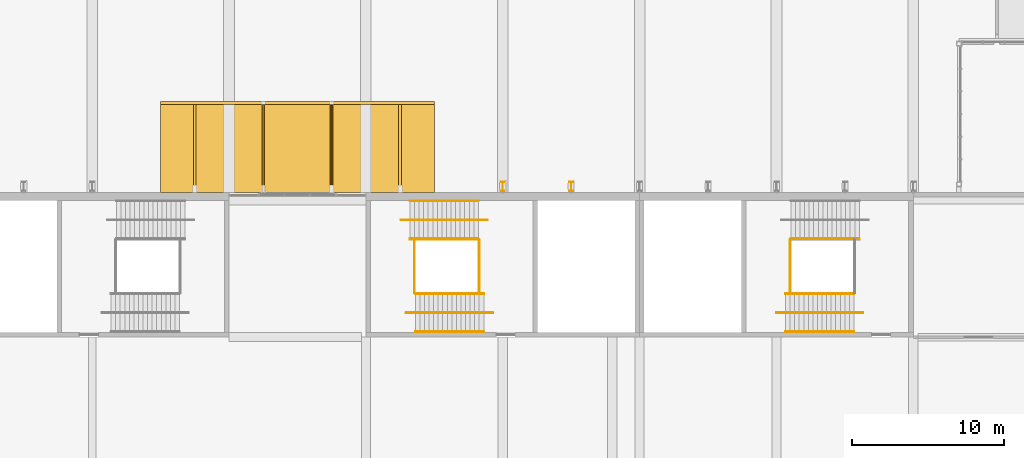
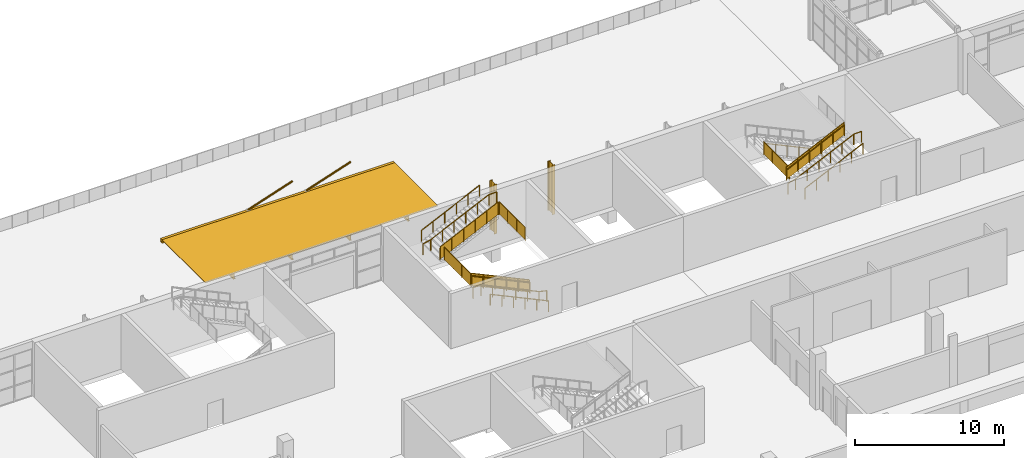
# One storey, part 161 of 168: 16 railings, 12 shading devices.
"""IFC4 building model written with IfcOpenShell, lengths in metres."""

from ifc_helpers import new_model, si_unit, direction, frame, origin, origin_2d, place, context, subcontext, project, spatial, polyline, rectangle, hollow_rectangle, circle, hollow_circle, i_section, outline, extrude, material, material_profile, profile_set, type_object, element, save


model = new_model("IFC4")

# Units and contexts
model_context = context("Model", 3, precision=1e-05, world=origin(), true_north=direction((0.0, 1.0)))
body_context = subcontext(model_context, "Body", "Model", "MODEL_VIEW")
ifc_project = project(units=[si_unit("LENGTHUNIT", "METRE"), si_unit("AREAUNIT", "SQUARE_METRE"), si_unit("VOLUMEUNIT", "CUBIC_METRE"), si_unit("PLANEANGLEUNIT", "RADIAN"), si_unit("MASSUNIT", "GRAM", prefix="KILO")], contexts=[model_context])

# Site, building, storey
site_placement = place(None, origin())
site = spatial("IfcSite", under=ifc_project, at=site_placement, CompositionType="ELEMENT")
building_placement = place(site_placement, origin())
building = spatial("IfcBuilding", under=site, at=building_placement, Name="Silverbay Arena", CompositionType="ELEMENT")
storey_placement = place(building_placement, frame((0.0, 0.0, 7.0)))
storey = spatial("IfcBuildingStorey", under=building, at=storey_placement, Name="L01", CompositionType="ELEMENT", Elevation=7.0)

# Shading devices
ifc_material_1 = material(Name="Steel S355", Category="steel")
shading_device_type_1 = type_object("IfcShadingDeviceType", Name="Entrance marquee 6000 x 18000", PredefinedType="AWNING", material=ifc_material_1)
shading_device_1_placement = place(storey_placement, frame((76.5, 147.39990234375, 4.353271484375), z_axis=(0.0, 0.0, 1.0), x_axis=(1.0, 0.0, 0.0)))
element("IfcShadingDevice", 1, at=shading_device_1_placement, inside=storey, type_object=shading_device_type_1, Name="North entrance marquee L01 bay 6", PredefinedType="AWNING", context=body_context, shape_type="SweptSolid", body=[
    extrude(rectangle(XDim=18.0, YDim=5.800048828125, at=origin_2d()), origin(), (0.0, 0.0, 1.0), 0.0400390625),
])
ifc_material_2 = material(Name="Steel S355", Category="steel")
ifc_material_profile_1 = material_profile(ifc_material_2, i_section(OverallWidth=0.18994140625, OverallDepth=0.453369140625, WebThickness=0.008544921875, FlangeThickness=0.0126953125, at=origin_2d()), Name="UB 457x191x67")
ifc_profile_set_1 = profile_set([ifc_material_profile_1], Name="Steel S355")
shading_device_type_2 = type_object("IfcShadingDeviceType", Name="Marquee cantilever beam UB 457x191x67", PredefinedType="USERDEFINED", material=ifc_profile_set_1)
for number, where, z_axis, x_axis, name in (
    (2, (69.75, 144.5, 4.126708984375), (0.0, 1.0, 0.0), (-1.0, 0.0, 0.0), "North marquee beam L01 bay 6.1"),
    (3, (74.25, 144.5, 4.126708984375), (0.0, 1.0, 0.0), (-1.0, 0.0, 0.0), "North marquee beam L01 bay 6.2"),
    (4, (78.75, 144.5, 4.126708984375), (0.0, 1.0, 0.0), (-1.0, 0.0, 0.0), "North marquee beam L01 bay 6.3"),
    (5, (83.25, 144.5, 4.126708984375), (0.0, 1.0, 0.0), (-1.0, 0.0, 0.0), "North marquee beam L01 bay 6.4"),
):
    element("IfcShadingDevice", number, at=place(storey_placement, frame(where, z_axis=z_axis, x_axis=x_axis)), inside=storey, type_object=shading_device_type_2, Name=name, ObjectType="MARQUEE FRAME", PredefinedType="USERDEFINED", context=body_context, shape_type="SweptSolid", body=[
        extrude(i_section(OverallWidth=0.18994140625, OverallDepth=0.453369140625, WebThickness=0.008544921875, FlangeThickness=0.0126953125, at=origin_2d()), origin(), (0.0, 0.0, 1.0), 5.800048828125),
    ])
ifc_material_3 = material(Name="Steel S355", Category="steel")
ifc_material_profile_2 = material_profile(ifc_material_3, hollow_rectangle(XDim=0.199951171875, YDim=0.300048828125, WallThickness=0.008056640625, at=origin_2d()), Name="RHS 300x200x8")
ifc_profile_set_2 = profile_set([ifc_material_profile_2], Name="Steel S355")
shading_device_type_3 = type_object("IfcShadingDeviceType", Name="Marquee edge beam RHS 300x200x8", PredefinedType="USERDEFINED", material=ifc_profile_set_2)
shading_device_2_placement = place(storey_placement, frame((67.5, 150.39990234375, 4.243408203125), z_axis=(1.0, 0.0, 0.0), x_axis=(0.0, 1.0, 0.0)))
element("IfcShadingDevice", 6, at=shading_device_2_placement, inside=storey, type_object=shading_device_type_3, Name="North marquee edge beam L01 bay 6.1", ObjectType="MARQUEE FRAME", PredefinedType="USERDEFINED", context=body_context, shape_type="SweptSolid", body=[
    extrude(hollow_rectangle(XDim=0.199951171875, YDim=0.300048828125, WallThickness=0.008056640625, at=origin_2d()), origin(), (0.0, 0.0, 1.0), 6.75),
])
shading_device_3_placement = place(storey_placement, frame((74.25, 150.39990234375, 4.243408203125), z_axis=(1.0, 0.0, 0.0), x_axis=(0.0, 1.0, 0.0)))
element("IfcShadingDevice", 7, at=shading_device_3_placement, inside=storey, type_object=shading_device_type_3, Name="North marquee edge beam L01 bay 6.2", ObjectType="MARQUEE FRAME", PredefinedType="USERDEFINED", context=body_context, shape_type="SweptSolid", body=[
    extrude(hollow_rectangle(XDim=0.199951171875, YDim=0.300048828125, WallThickness=0.008056640625, at=origin_2d()), origin(), (0.0, 0.0, 1.0), 4.5),
])
shading_device_4_placement = place(storey_placement, frame((78.75, 150.39990234375, 4.243408203125), z_axis=(1.0, 0.0, 0.0), x_axis=(0.0, 1.0, 0.0)))
element("IfcShadingDevice", 8, at=shading_device_4_placement, inside=storey, type_object=shading_device_type_3, Name="North marquee edge beam L01 bay 6.3", ObjectType="MARQUEE FRAME", PredefinedType="USERDEFINED", context=body_context, shape_type="SweptSolid", body=[
    extrude(hollow_rectangle(XDim=0.199951171875, YDim=0.300048828125, WallThickness=0.008056640625, at=origin_2d()), origin(), (0.0, 0.0, 1.0), 6.75),
])
ifc_material_4 = material(Name="Steel S355", Category="steel")
ifc_material_profile_3 = material_profile(ifc_material_4, hollow_circle(Radius=0.06982421875, WallThickness=0.008056640625, at=origin_2d()), Name="CHS 139.7x8")
ifc_profile_set_3 = profile_set([ifc_material_profile_3], Name="Steel S355")
shading_device_type_4 = type_object("IfcShadingDeviceType", Name="Marquee tie CHS 139.7x8", PredefinedType="USERDEFINED", material=ifc_profile_set_3)
for number, where, z_axis, x_axis, name in (
    (9, (74.25, 150.39990234375, 4.443359375), (0.0, -0.707091949838, 0.707121612224), (1.0, 0.0, 0.0), "North marquee tie 1"),
    (10, (78.75, 150.39990234375, 4.443359375), (0.0, -0.707091949838, 0.707121612224), (1.0, 0.0, 0.0), "North marquee tie 2"),
):
    element("IfcShadingDevice", number, at=place(storey_placement, frame(where, z_axis=z_axis, x_axis=x_axis)), inside=storey, type_object=shading_device_type_4, Name=name, ObjectType="MARQUEE FRAME", PredefinedType="USERDEFINED", context=body_context, shape_type="SweptSolid", body=[
        extrude(hollow_circle(Radius=0.06982421875, WallThickness=0.008056640625, at=origin_2d()), origin(), (0.0, 0.0, 1.0), 8.230712890625),
    ])

# Railings
ifc_material_5 = material(Name="Stainless steel", Category="steel")
railing_type_1 = type_object("IfcRailingType", Name="Stair guard 1100", PredefinedType="GUARDRAIL", material=ifc_material_5)
railing_1_placement = place(storey_placement, frame((88.75341796875, 137.875, 0.140625)))
element("IfcRailing", 11, at=railing_1_placement, inside=storey, type_object=railing_type_1, Name="Stair ST-N1 L01 to L02 flight 1 guard right", PredefinedType="GUARDRAIL", context=body_context, shape_type="SweptSolid", body=[
    extrude(circle(Radius=0.02392578125, at=origin_2d()), frame((0.0, 0.0, 1.076171875), z_axis=(-0.905458935959, 0.0, 0.424433876231), x_axis=(0.0, -1.0, 0.0)), (0.0, 0.0, 1.0), 4.969970703125),
    extrude(outline(polyline([(-0.008056640625, 0.046142578125), (0.907958984375, 0.4755859375), (0.907958984375, 1.478515625), (-0.008056640625, 1.04931640625), (-0.008056640625, 0.046142578125)])), frame((0.0, -0.0029296875, 0.0), z_axis=(0.0, 1.0, 0.0), x_axis=(-1.0, 0.0, 0.0)), (0.0, 0.0, 1.0), 0.006103515625),
    extrude(outline(polyline([(-0.008056640625, 0.468017578125), (0.907958984375, 0.8974609375), (0.907958984375, 1.900390625), (-0.008056640625, 1.47119140625), (-0.008056640625, 0.468017578125)])), frame((-0.89990234375, -0.0029296875, 0.0), z_axis=(0.0, 1.0, 0.0), x_axis=(-1.0, 0.0, 0.0)), (0.0, 0.0, 1.0), 0.006103515625),
    extrude(outline(polyline([(-0.008056640625, 0.889892578125), (0.907958984375, 1.3193359375), (0.907958984375, 2.322265625), (-0.008056640625, 1.89306640625), (-0.008056640625, 0.889892578125)])), frame((-1.800048828125, -0.0029296875, 0.0), z_axis=(0.0, 1.0, 0.0), x_axis=(-1.0, 0.0, 0.0)), (0.0, 0.0, 1.0), 0.006103515625),
    extrude(outline(polyline([(-0.008056640625, 1.311767578125), (0.907958984375, 1.7412109375), (0.907958984375, 2.744140625), (-0.008056640625, 2.31494140625), (-0.008056640625, 1.311767578125)])), frame((-2.699951171875, -0.0029296875, 0.0), z_axis=(0.0, 1.0, 0.0), x_axis=(-1.0, 0.0, 0.0)), (0.0, 0.0, 1.0), 0.006103515625),
    extrude(outline(polyline([(-0.008056640625, 1.733642578125), (0.907958984375, 2.1630859375), (0.907958984375, 3.166015625), (-0.008056640625, 2.73681640625), (-0.008056640625, 1.733642578125)])), frame((-3.60009765625, -0.0029296875, 0.0), z_axis=(0.0, 1.0, 0.0), x_axis=(-1.0, 0.0, 0.0)), (0.0, 0.0, 1.0), 0.006103515625),
    extrude(circle(Radius=0.02099609375, at=origin_2d()), origin(), (0.0, 0.0, 1.0), 1.052001953125),
    extrude(circle(Radius=0.02099609375, at=origin_2d()), frame((-0.89990234375, 0.0, 0.421875)), (0.0, 0.0, 1.0), 1.052001953125),
    extrude(circle(Radius=0.02099609375, at=origin_2d()), frame((-1.800048828125, 0.0, 0.84375)), (0.0, 0.0, 1.0), 1.052001953125),
    extrude(circle(Radius=0.02099609375, at=origin_2d()), frame((-2.699951171875, 0.0, 1.265625)), (0.0, 0.0, 1.0), 1.052001953125),
    extrude(circle(Radius=0.02099609375, at=origin_2d()), frame((-3.60009765625, 0.0, 1.6875)), (0.0, 0.0, 1.0), 1.052001953125),
    extrude(circle(Radius=0.02099609375, at=origin_2d()), frame((-4.5, 0.0, 2.109375)), (0.0, 0.0, 1.0), 1.052001953125),
])
railing_2_placement = place(storey_placement, frame((83.89990234375, 141.425048828125, 2.390625)))
element("IfcRailing", 12, at=railing_2_placement, inside=storey, type_object=railing_type_1, Name="Stair ST-N1 L01 to L02 flight 2 guard left", PredefinedType="GUARDRAIL", context=body_context, shape_type="SweptSolid", body=[
    extrude(circle(Radius=0.02392578125, at=origin_2d()), frame((0.0, 0.0, 1.076171875), z_axis=(0.905458935959, 0.0, 0.424433876231), x_axis=(0.0, 1.0, 0.0)), (0.0, 0.0, 1.0), 4.969970703125),
    extrude(outline(polyline([(-0.008056640625, 0.046142578125), (0.907958984375, 0.4755859375), (0.907958984375, 1.478515625), (-0.008056640625, 1.04931640625), (-0.008056640625, 0.046142578125)])), frame((0.0, 0.0029296875, 0.0), z_axis=(0.0, -1.0, 0.0), x_axis=(1.0, 0.0, 0.0)), (0.0, 0.0, 1.0), 0.006103515625),
    extrude(outline(polyline([(-0.008056640625, 0.468017578125), (0.907958984375, 0.8974609375), (0.907958984375, 1.900390625), (-0.008056640625, 1.47119140625), (-0.008056640625, 0.468017578125)])), frame((0.89990234375, 0.0029296875, 0.0), z_axis=(0.0, -1.0, 0.0), x_axis=(1.0, 0.0, 0.0)), (0.0, 0.0, 1.0), 0.006103515625),
    extrude(outline(polyline([(-0.008056640625, 0.889892578125), (0.907958984375, 1.3193359375), (0.907958984375, 2.322265625), (-0.008056640625, 1.89306640625), (-0.008056640625, 0.889892578125)])), frame((1.800048828125, 0.0029296875, 0.0), z_axis=(0.0, -1.0, 0.0), x_axis=(1.0, 0.0, 0.0)), (0.0, 0.0, 1.0), 0.006103515625),
    extrude(outline(polyline([(-0.008056640625, 1.311767578125), (0.907958984375, 1.7412109375), (0.907958984375, 2.744140625), (-0.008056640625, 2.31494140625), (-0.008056640625, 1.311767578125)])), frame((2.699951171875, 0.0029296875, 0.0), z_axis=(0.0, -1.0, 0.0), x_axis=(1.0, 0.0, 0.0)), (0.0, 0.0, 1.0), 0.006103515625),
    extrude(outline(polyline([(-0.008056640625, 1.733642578125), (0.907958984375, 2.1630859375), (0.907958984375, 3.166015625), (-0.008056640625, 2.73681640625), (-0.008056640625, 1.733642578125)])), frame((3.60009765625, 0.0029296875, 0.0), z_axis=(0.0, -1.0, 0.0), x_axis=(1.0, 0.0, 0.0)), (0.0, 0.0, 1.0), 0.006103515625),
    extrude(circle(Radius=0.02099609375, at=origin_2d()), origin(), (0.0, 0.0, 1.0), 1.052001953125),
    extrude(circle(Radius=0.02099609375, at=origin_2d()), frame((0.89990234375, 0.0, 0.421875)), (0.0, 0.0, 1.0), 1.052001953125),
    extrude(circle(Radius=0.02099609375, at=origin_2d()), frame((1.800048828125, 0.0, 0.84375)), (0.0, 0.0, 1.0), 1.052001953125),
    extrude(circle(Radius=0.02099609375, at=origin_2d()), frame((2.699951171875, 0.0, 1.265625)), (0.0, 0.0, 1.0), 1.052001953125),
    extrude(circle(Radius=0.02099609375, at=origin_2d()), frame((3.60009765625, 0.0, 1.6875)), (0.0, 0.0, 1.0), 1.052001953125),
    extrude(circle(Radius=0.02099609375, at=origin_2d()), frame((4.5, 0.0, 2.109375)), (0.0, 0.0, 1.0), 1.052001953125),
])
for number, where, name in (
    (13, (84.203369140625, 137.89990234375, 2.25), "Stair ST-N1 L01 to L02 landing 1 guard"),
    (14, (88.449951171875, 137.89990234375, 4.5), "Stair ST-N1 L01 to L02 landing 2 guard"),
):
    element("IfcRailing", number, at=place(storey_placement, frame(where)), inside=storey, type_object=railing_type_1, Name=name, PredefinedType="GUARDRAIL", context=body_context, shape_type="SweptSolid", body=[
        extrude(circle(Radius=0.02392578125, at=origin_2d()), frame((0.0, 0.0, 1.076171875), z_axis=(0.0, 1.0, 0.0), x_axis=(-1.0, 0.0, 0.0)), (0.0, 0.0, 1.0), 3.5),
        extrude(outline(polyline([(-0.008056640625, 0.050048828125), (1.174560546875, 0.050048828125), (1.174560546875, 1.052978515625), (-0.008056640625, 1.052978515625), (-0.008056640625, 0.050048828125)])), frame((-0.0029296875, 0.0, 0.0), z_axis=(1.0, 0.0, 0.0), x_axis=(0.0, 1.0, 0.0)), (0.0, 0.0, 1.0), 0.006103515625),
        extrude(outline(polyline([(-0.008056640625, 0.050048828125), (1.174560546875, 0.050048828125), (1.174560546875, 1.052978515625), (-0.008056640625, 1.052978515625), (-0.008056640625, 0.050048828125)])), frame((-0.0029296875, 1.166748046875, 0.0), z_axis=(1.0, 0.0, 0.0), x_axis=(0.0, 1.0, 0.0)), (0.0, 0.0, 1.0), 0.006103515625),
        extrude(outline(polyline([(-0.008056640625, 0.050048828125), (1.174560546875, 0.050048828125), (1.174560546875, 1.052978515625), (-0.008056640625, 1.052978515625), (-0.008056640625, 0.050048828125)])), frame((-0.0029296875, 2.333251953125, 0.0), z_axis=(1.0, 0.0, 0.0), x_axis=(0.0, 1.0, 0.0)), (0.0, 0.0, 1.0), 0.006103515625),
        extrude(circle(Radius=0.02099609375, at=origin_2d()), origin(), (0.0, 0.0, 1.0), 1.052001953125),
        extrude(circle(Radius=0.02099609375, at=origin_2d()), frame((0.0, 1.166748046875, 0.0)), (0.0, 0.0, 1.0), 1.052001953125),
        extrude(circle(Radius=0.02099609375, at=origin_2d()), frame((0.0, 2.333251953125, 0.0)), (0.0, 0.0, 1.0), 1.052001953125),
        extrude(circle(Radius=0.02099609375, at=origin_2d()), frame((0.0, 3.5, 0.0)), (0.0, 0.0, 1.0), 1.052001953125),
    ])
railing_3_placement = place(storey_placement, frame((108.60009765625, 137.875, 2.390625)))
element("IfcRailing", 15, at=railing_3_placement, inside=storey, type_object=railing_type_1, Name="Stair ST-N2 L01 to L02 flight 2 guard right", PredefinedType="GUARDRAIL", context=body_context, shape_type="SweptSolid", body=[
    extrude(circle(Radius=0.02392578125, at=origin_2d()), frame((0.0, 0.0, 1.076171875), z_axis=(0.905458935959, 0.0, 0.424433876231), x_axis=(0.0, 1.0, 0.0)), (0.0, 0.0, 1.0), 4.969970703125),
    extrude(outline(polyline([(-0.008056640625, 0.046142578125), (0.907958984375, 0.4755859375), (0.907958984375, 1.478515625), (-0.008056640625, 1.04931640625), (-0.008056640625, 0.046142578125)])), frame((0.0, 0.0029296875, 0.0), z_axis=(0.0, -1.0, 0.0), x_axis=(1.0, 0.0, 0.0)), (0.0, 0.0, 1.0), 0.006103515625),
    extrude(outline(polyline([(-0.008056640625, 0.468017578125), (0.907958984375, 0.8974609375), (0.907958984375, 1.900390625), (-0.008056640625, 1.47119140625), (-0.008056640625, 0.468017578125)])), frame((0.89990234375, 0.0029296875, 0.0), z_axis=(0.0, -1.0, 0.0), x_axis=(1.0, 0.0, 0.0)), (0.0, 0.0, 1.0), 0.006103515625),
    extrude(outline(polyline([(-0.008056640625, 0.889892578125), (0.907958984375, 1.3193359375), (0.907958984375, 2.322265625), (-0.008056640625, 1.89306640625), (-0.008056640625, 0.889892578125)])), frame((1.800048828125, 0.0029296875, 0.0), z_axis=(0.0, -1.0, 0.0), x_axis=(1.0, 0.0, 0.0)), (0.0, 0.0, 1.0), 0.006103515625),
    extrude(outline(polyline([(-0.008056640625, 1.311767578125), (0.907958984375, 1.7412109375), (0.907958984375, 2.744140625), (-0.008056640625, 2.31494140625), (-0.008056640625, 1.311767578125)])), frame((2.699951171875, 0.0029296875, 0.0), z_axis=(0.0, -1.0, 0.0), x_axis=(1.0, 0.0, 0.0)), (0.0, 0.0, 1.0), 0.006103515625),
    extrude(outline(polyline([(-0.008056640625, 1.733642578125), (0.907958984375, 2.1630859375), (0.907958984375, 3.166015625), (-0.008056640625, 2.73681640625), (-0.008056640625, 1.733642578125)])), frame((3.60009765625, 0.0029296875, 0.0), z_axis=(0.0, -1.0, 0.0), x_axis=(1.0, 0.0, 0.0)), (0.0, 0.0, 1.0), 0.006103515625),
    extrude(circle(Radius=0.02099609375, at=origin_2d()), origin(), (0.0, 0.0, 1.0), 1.052001953125),
    extrude(circle(Radius=0.02099609375, at=origin_2d()), frame((0.89990234375, 0.0, 0.421875)), (0.0, 0.0, 1.0), 1.052001953125),
    extrude(circle(Radius=0.02099609375, at=origin_2d()), frame((1.800048828125, 0.0, 0.84375)), (0.0, 0.0, 1.0), 1.052001953125),
    extrude(circle(Radius=0.02099609375, at=origin_2d()), frame((2.699951171875, 0.0, 1.265625)), (0.0, 0.0, 1.0), 1.052001953125),
    extrude(circle(Radius=0.02099609375, at=origin_2d()), frame((3.60009765625, 0.0, 1.6875)), (0.0, 0.0, 1.0), 1.052001953125),
    extrude(circle(Radius=0.02099609375, at=origin_2d()), frame((4.5, 0.0, 2.109375)), (0.0, 0.0, 1.0), 1.052001953125),
])
railing_4_placement = place(storey_placement, frame((108.9033203125, 137.89990234375, 2.25)))
element("IfcRailing", 16, at=railing_4_placement, inside=storey, type_object=railing_type_1, Name="Stair ST-N2 L01 to L02 landing 1 guard", PredefinedType="GUARDRAIL", context=body_context, shape_type="SweptSolid", body=[
    extrude(circle(Radius=0.02392578125, at=origin_2d()), frame((0.0, 0.0, 1.076171875), z_axis=(0.0, 1.0, 0.0), x_axis=(-1.0, 0.0, 0.0)), (0.0, 0.0, 1.0), 3.5),
    extrude(outline(polyline([(-0.008056640625, 0.050048828125), (1.174560546875, 0.050048828125), (1.174560546875, 1.052978515625), (-0.008056640625, 1.052978515625), (-0.008056640625, 0.050048828125)])), frame((-0.0029296875, 0.0, 0.0), z_axis=(1.0, 0.0, 0.0), x_axis=(0.0, 1.0, 0.0)), (0.0, 0.0, 1.0), 0.006103515625),
    extrude(outline(polyline([(-0.008056640625, 0.050048828125), (1.174560546875, 0.050048828125), (1.174560546875, 1.052978515625), (-0.008056640625, 1.052978515625), (-0.008056640625, 0.050048828125)])), frame((-0.0029296875, 1.166748046875, 0.0), z_axis=(1.0, 0.0, 0.0), x_axis=(0.0, 1.0, 0.0)), (0.0, 0.0, 1.0), 0.006103515625),
    extrude(outline(polyline([(-0.008056640625, 0.050048828125), (1.174560546875, 0.050048828125), (1.174560546875, 1.052978515625), (-0.008056640625, 1.052978515625), (-0.008056640625, 0.050048828125)])), frame((-0.0029296875, 2.333251953125, 0.0), z_axis=(1.0, 0.0, 0.0), x_axis=(0.0, 1.0, 0.0)), (0.0, 0.0, 1.0), 0.006103515625),
    extrude(circle(Radius=0.02099609375, at=origin_2d()), origin(), (0.0, 0.0, 1.0), 1.052001953125),
    extrude(circle(Radius=0.02099609375, at=origin_2d()), frame((0.0, 1.166748046875, 0.0)), (0.0, 0.0, 1.0), 1.052001953125),
    extrude(circle(Radius=0.02099609375, at=origin_2d()), frame((0.0, 2.333251953125, 0.0)), (0.0, 0.0, 1.0), 1.052001953125),
    extrude(circle(Radius=0.02099609375, at=origin_2d()), frame((0.0, 3.5, 0.0)), (0.0, 0.0, 1.0), 1.052001953125),
])
ifc_material_6 = material(Name="Stainless steel", Category="steel")
railing_type_2 = type_object("IfcRailingType", Name="Stair handrail 900", PredefinedType="HANDRAIL", material=ifc_material_6)
for number, where, name in (
    (17, (88.75341796875, 135.35009765625, 0.140625), "Stair ST-N1 L01 to L02 flight 1 handrail left"),
    (18, (88.75341796875, 137.8359375, 0.140625), "Stair ST-N1 L01 to L02 flight 1 handrail right"),
):
    element("IfcRailing", number, at=place(storey_placement, frame(where)), inside=storey, type_object=railing_type_2, Name=name, PredefinedType="HANDRAIL", context=body_context, shape_type="SweptSolid", body=[
        extrude(circle(Radius=0.02392578125, at=origin_2d()), frame((0.0, 0.0, 0.8759765625), z_axis=(-0.905458935959, 0.0, 0.424433876231), x_axis=(0.0, -1.0, 0.0)), (0.0, 0.0, 1.0), 4.969970703125),
        extrude(circle(Radius=0.02099609375, at=origin_2d()), origin(), (0.0, 0.0, 1.0), 0.851806640625),
        extrude(circle(Radius=0.02099609375, at=origin_2d()), frame((-0.89990234375, 0.0, 0.421875)), (0.0, 0.0, 1.0), 0.851806640625),
        extrude(circle(Radius=0.02099609375, at=origin_2d()), frame((-1.800048828125, 0.0, 0.84375)), (0.0, 0.0, 1.0), 0.851806640625),
        extrude(circle(Radius=0.02099609375, at=origin_2d()), frame((-2.699951171875, 0.0, 1.265625)), (0.0, 0.0, 1.0), 0.851806640625),
        extrude(circle(Radius=0.02099609375, at=origin_2d()), frame((-3.60009765625, 0.0, 1.6875)), (0.0, 0.0, 1.0), 0.851806640625),
        extrude(circle(Radius=0.02099609375, at=origin_2d()), frame((-4.5, 0.0, 2.109375)), (0.0, 0.0, 1.0), 0.851806640625),
    ])
railing_5_placement = place(storey_placement, frame((89.353515625, 136.60009765625, 0.0)))
element("IfcRailing", 19, at=railing_5_placement, inside=storey, type_object=railing_type_2, Name="Stair ST-N1 L01 to L02 flight 1 central handrail", PredefinedType="HANDRAIL", context=body_context, shape_type="SweptSolid", body=[
    extrude(circle(Radius=0.02392578125, at=origin_2d()), frame((0.0, 0.0, 0.8759765625), z_axis=(-0.973624560196, 0.0, 0.228156121511), x_axis=(0.0, -1.0, 0.0)), (0.0, 0.0, 1.0), 0.616455078125),
    extrude(circle(Radius=0.02392578125, at=origin_2d()), frame((-0.60009765625, 0.0, 1.0166015625), z_axis=(-0.905458935959, 0.0, 0.424433876231), x_axis=(0.0, -1.0, 0.0)), (0.0, 0.0, 1.0), 4.969970703125),
    extrude(circle(Radius=0.02392578125, at=origin_2d()), frame((-5.10009765625, 0.0, 3.1259765625), z_axis=(-1.0, 0.0, 0.0), x_axis=(0.0, -1.0, 0.0)), (0.0, 0.0, 1.0), 0.60009765625),
    extrude(circle(Radius=0.02099609375, at=origin_2d()), origin(), (0.0, 0.0, 1.0), 0.851806640625),
    extrude(circle(Radius=0.02099609375, at=origin_2d()), frame((-0.60009765625, 0.0, 0.140625)), (0.0, 0.0, 1.0), 0.851806640625),
    extrude(circle(Radius=0.02099609375, at=origin_2d()), frame((-1.5, 0.0, 0.5625)), (0.0, 0.0, 1.0), 0.851806640625),
    extrude(circle(Radius=0.02099609375, at=origin_2d()), frame((-2.400146484375, 0.0, 0.984375)), (0.0, 0.0, 1.0), 0.851806640625),
    extrude(circle(Radius=0.02099609375, at=origin_2d()), frame((-3.300048828125, 0.0, 1.40625)), (0.0, 0.0, 1.0), 0.851806640625),
    extrude(circle(Radius=0.02099609375, at=origin_2d()), frame((-4.2001953125, 0.0, 1.828125)), (0.0, 0.0, 1.0), 0.851806640625),
    extrude(circle(Radius=0.02099609375, at=origin_2d()), frame((-5.10009765625, 0.0, 2.25)), (0.0, 0.0, 1.0), 0.851806640625),
    extrude(circle(Radius=0.02099609375, at=origin_2d()), frame((-5.7001953125, 0.0, 2.25)), (0.0, 0.0, 1.0), 0.851806640625),
])
for number, where, name in (
    (20, (83.89990234375, 141.464111328125, 2.390625), "Stair ST-N1 L01 to L02 flight 2 handrail left"),
    (21, (83.89990234375, 143.949951171875, 2.390625), "Stair ST-N1 L01 to L02 flight 2 handrail right"),
):
    element("IfcRailing", number, at=place(storey_placement, frame(where)), inside=storey, type_object=railing_type_2, Name=name, PredefinedType="HANDRAIL", context=body_context, shape_type="SweptSolid", body=[
        extrude(circle(Radius=0.02392578125, at=origin_2d()), frame((0.0, 0.0, 0.8759765625), z_axis=(0.905458935959, 0.0, 0.424433876231), x_axis=(0.0, 1.0, 0.0)), (0.0, 0.0, 1.0), 4.969970703125),
        extrude(circle(Radius=0.02099609375, at=origin_2d()), origin(), (0.0, 0.0, 1.0), 0.851806640625),
        extrude(circle(Radius=0.02099609375, at=origin_2d()), frame((0.89990234375, 0.0, 0.421875)), (0.0, 0.0, 1.0), 0.851806640625),
        extrude(circle(Radius=0.02099609375, at=origin_2d()), frame((1.800048828125, 0.0, 0.84375)), (0.0, 0.0, 1.0), 0.851806640625),
        extrude(circle(Radius=0.02099609375, at=origin_2d()), frame((2.699951171875, 0.0, 1.265625)), (0.0, 0.0, 1.0), 0.851806640625),
        extrude(circle(Radius=0.02099609375, at=origin_2d()), frame((3.60009765625, 0.0, 1.6875)), (0.0, 0.0, 1.0), 0.851806640625),
        extrude(circle(Radius=0.02099609375, at=origin_2d()), frame((4.5, 0.0, 2.109375)), (0.0, 0.0, 1.0), 0.851806640625),
    ])
railing_6_placement = place(storey_placement, frame((83.300048828125, 142.699951171875, 2.25)))
element("IfcRailing", 22, at=railing_6_placement, inside=storey, type_object=railing_type_2, Name="Stair ST-N1 L01 to L02 flight 2 central handrail", PredefinedType="HANDRAIL", context=body_context, shape_type="SweptSolid", body=[
    extrude(circle(Radius=0.02392578125, at=origin_2d()), frame((0.0, 0.0, 0.8759765625), z_axis=(0.973603928963, 0.0, 0.228244144519), x_axis=(0.0, 1.0, 0.0)), (0.0, 0.0, 1.0), 0.6162109375),
    extrude(circle(Radius=0.02392578125, at=origin_2d()), frame((0.599853515625, 0.0, 1.0166015625), z_axis=(0.905458935959, 0.0, 0.424433876231), x_axis=(0.0, 1.0, 0.0)), (0.0, 0.0, 1.0), 4.969970703125),
    extrude(circle(Radius=0.02392578125, at=origin_2d()), frame((5.099853515625, 0.0, 3.1259765625), z_axis=(1.0, 0.0, 0.0), x_axis=(0.0, 1.0, 0.0)), (0.0, 0.0, 1.0), 0.60009765625),
    extrude(circle(Radius=0.02099609375, at=origin_2d()), origin(), (0.0, 0.0, 1.0), 0.851806640625),
    extrude(circle(Radius=0.02099609375, at=origin_2d()), frame((0.599853515625, 0.0, 0.140625)), (0.0, 0.0, 1.0), 0.851806640625),
    extrude(circle(Radius=0.02099609375, at=origin_2d()), frame((1.499755859375, 0.0, 0.5625)), (0.0, 0.0, 1.0), 0.851806640625),
    extrude(circle(Radius=0.02099609375, at=origin_2d()), frame((2.39990234375, 0.0, 0.984375)), (0.0, 0.0, 1.0), 0.851806640625),
    extrude(circle(Radius=0.02099609375, at=origin_2d()), frame((3.2998046875, 0.0, 1.40625)), (0.0, 0.0, 1.0), 0.851806640625),
    extrude(circle(Radius=0.02099609375, at=origin_2d()), frame((4.199951171875, 0.0, 1.828125)), (0.0, 0.0, 1.0), 0.851806640625),
    extrude(circle(Radius=0.02099609375, at=origin_2d()), frame((5.099853515625, 0.0, 2.25)), (0.0, 0.0, 1.0), 0.851806640625),
    extrude(circle(Radius=0.02099609375, at=origin_2d()), frame((5.699951171875, 0.0, 2.25)), (0.0, 0.0, 1.0), 0.851806640625),
])
railing_7_placement = place(storey_placement, frame((113.453369140625, 141.464111328125, 0.140625)))
element("IfcRailing", 23, at=railing_7_placement, inside=storey, type_object=railing_type_2, Name="Stair ST-N2 L01 to L02 flight 1 handrail left", PredefinedType="HANDRAIL", context=body_context, shape_type="SweptSolid", body=[
    extrude(circle(Radius=0.02392578125, at=origin_2d()), frame((0.0, 0.0, 0.8759765625), z_axis=(-0.905458935959, 0.0, 0.424433876231), x_axis=(0.0, -1.0, 0.0)), (0.0, 0.0, 1.0), 4.969970703125),
    extrude(circle(Radius=0.02099609375, at=origin_2d()), origin(), (0.0, 0.0, 1.0), 0.851806640625),
    extrude(circle(Radius=0.02099609375, at=origin_2d()), frame((-0.89990234375, 0.0, 0.421875)), (0.0, 0.0, 1.0), 0.851806640625),
    extrude(circle(Radius=0.02099609375, at=origin_2d()), frame((-1.800048828125, 0.0, 0.84375)), (0.0, 0.0, 1.0), 0.851806640625),
    extrude(circle(Radius=0.02099609375, at=origin_2d()), frame((-2.699951171875, 0.0, 1.265625)), (0.0, 0.0, 1.0), 0.851806640625),
    extrude(circle(Radius=0.02099609375, at=origin_2d()), frame((-3.60009765625, 0.0, 1.6875)), (0.0, 0.0, 1.0), 0.851806640625),
    extrude(circle(Radius=0.02099609375, at=origin_2d()), frame((-4.5, 0.0, 2.109375)), (0.0, 0.0, 1.0), 0.851806640625),
])
for number, where, name in (
    (24, (108.60009765625, 135.35009765625, 2.390625), "Stair ST-N2 L01 to L02 flight 2 handrail left"),
    (25, (108.60009765625, 137.8359375, 2.390625), "Stair ST-N2 L01 to L02 flight 2 handrail right"),
):
    element("IfcRailing", number, at=place(storey_placement, frame(where)), inside=storey, type_object=railing_type_2, Name=name, PredefinedType="HANDRAIL", context=body_context, shape_type="SweptSolid", body=[
        extrude(circle(Radius=0.02392578125, at=origin_2d()), frame((0.0, 0.0, 0.8759765625), z_axis=(0.905458935959, 0.0, 0.424433876231), x_axis=(0.0, 1.0, 0.0)), (0.0, 0.0, 1.0), 4.969970703125),
        extrude(circle(Radius=0.02099609375, at=origin_2d()), origin(), (0.0, 0.0, 1.0), 0.851806640625),
        extrude(circle(Radius=0.02099609375, at=origin_2d()), frame((0.89990234375, 0.0, 0.421875)), (0.0, 0.0, 1.0), 0.851806640625),
        extrude(circle(Radius=0.02099609375, at=origin_2d()), frame((1.800048828125, 0.0, 0.84375)), (0.0, 0.0, 1.0), 0.851806640625),
        extrude(circle(Radius=0.02099609375, at=origin_2d()), frame((2.699951171875, 0.0, 1.265625)), (0.0, 0.0, 1.0), 0.851806640625),
        extrude(circle(Radius=0.02099609375, at=origin_2d()), frame((3.60009765625, 0.0, 1.6875)), (0.0, 0.0, 1.0), 0.851806640625),
        extrude(circle(Radius=0.02099609375, at=origin_2d()), frame((4.5, 0.0, 2.109375)), (0.0, 0.0, 1.0), 0.851806640625),
    ])
railing_8_placement = place(storey_placement, frame((108.0, 136.60009765625, 2.25)))
element("IfcRailing", 26, at=railing_8_placement, inside=storey, type_object=railing_type_2, Name="Stair ST-N2 L01 to L02 flight 2 central handrail", PredefinedType="HANDRAIL", context=body_context, shape_type="SweptSolid", body=[
    extrude(circle(Radius=0.02392578125, at=origin_2d()), frame((0.0, 0.0, 0.8759765625), z_axis=(0.973624560196, 0.0, 0.228156121511), x_axis=(0.0, 1.0, 0.0)), (0.0, 0.0, 1.0), 0.616455078125),
    extrude(circle(Radius=0.02392578125, at=origin_2d()), frame((0.60009765625, 0.0, 1.0166015625), z_axis=(0.905458935959, 0.0, 0.424433876231), x_axis=(0.0, 1.0, 0.0)), (0.0, 0.0, 1.0), 4.969970703125),
    extrude(circle(Radius=0.02392578125, at=origin_2d()), frame((5.10009765625, 0.0, 3.1259765625), z_axis=(1.0, 0.0, 0.0), x_axis=(0.0, 1.0, 0.0)), (0.0, 0.0, 1.0), 0.599853515625),
    extrude(circle(Radius=0.02099609375, at=origin_2d()), origin(), (0.0, 0.0, 1.0), 0.851806640625),
    extrude(circle(Radius=0.02099609375, at=origin_2d()), frame((0.60009765625, 0.0, 0.140625)), (0.0, 0.0, 1.0), 0.851806640625),
    extrude(circle(Radius=0.02099609375, at=origin_2d()), frame((1.5, 0.0, 0.5625)), (0.0, 0.0, 1.0), 0.851806640625),
    extrude(circle(Radius=0.02099609375, at=origin_2d()), frame((2.400146484375, 0.0, 0.984375)), (0.0, 0.0, 1.0), 0.851806640625),
    extrude(circle(Radius=0.02099609375, at=origin_2d()), frame((3.300048828125, 0.0, 1.40625)), (0.0, 0.0, 1.0), 0.851806640625),
    extrude(circle(Radius=0.02099609375, at=origin_2d()), frame((4.2001953125, 0.0, 1.828125)), (0.0, 0.0, 1.0), 0.851806640625),
    extrude(circle(Radius=0.02099609375, at=origin_2d()), frame((5.10009765625, 0.0, 2.25)), (0.0, 0.0, 1.0), 0.851806640625),
    extrude(circle(Radius=0.02099609375, at=origin_2d()), frame((5.699951171875, 0.0, 2.25)), (0.0, 0.0, 1.0), 0.851806640625),
])

# Shading devices
ifc_material_7 = material(Name="Steel S355", Category="steel")
ifc_material_profile_4 = material_profile(ifc_material_7, i_section(OverallWidth=0.2275390625, OverallDepth=0.6025390625, WebThickness=0.010498046875, FlangeThickness=0.014892578125, at=origin_2d()), Name="UB 610x229x101")
ifc_profile_set_4 = profile_set([ifc_material_profile_4], Name="Steel S355")
shading_device_type_5 = type_object("IfcShadingDeviceType", Name="Steel fin UB 610x229x101", PredefinedType="USERDEFINED", material=ifc_profile_set_4)
for number, where, z_axis, x_axis, name in (
    (27, (90.0, 144.9013671875, 0.449951171875), (0.0, 0.0, 1.0), (1.0, 0.0, 0.0), "Steel fin N L01 8"),
    (28, (94.5, 144.9013671875, 0.449951171875), (0.0, 0.0, 1.0), (1.0, 0.0, 0.0), "Steel fin N L01 9"),
):
    element("IfcShadingDevice", number, at=place(storey_placement, frame(where, z_axis=z_axis, x_axis=x_axis)), inside=storey, type_object=shading_device_type_5, Name=name, ObjectType="FIN", PredefinedType="USERDEFINED", context=body_context, shape_type="SweptSolid", body=[
        extrude(i_section(OverallWidth=0.2275390625, OverallDepth=0.6025390625, WebThickness=0.010498046875, FlangeThickness=0.014892578125, at=origin_2d()), origin(), (0.0, 0.0, 1.0), 4.050048828125),
    ])

save(model, "model.ifc")
